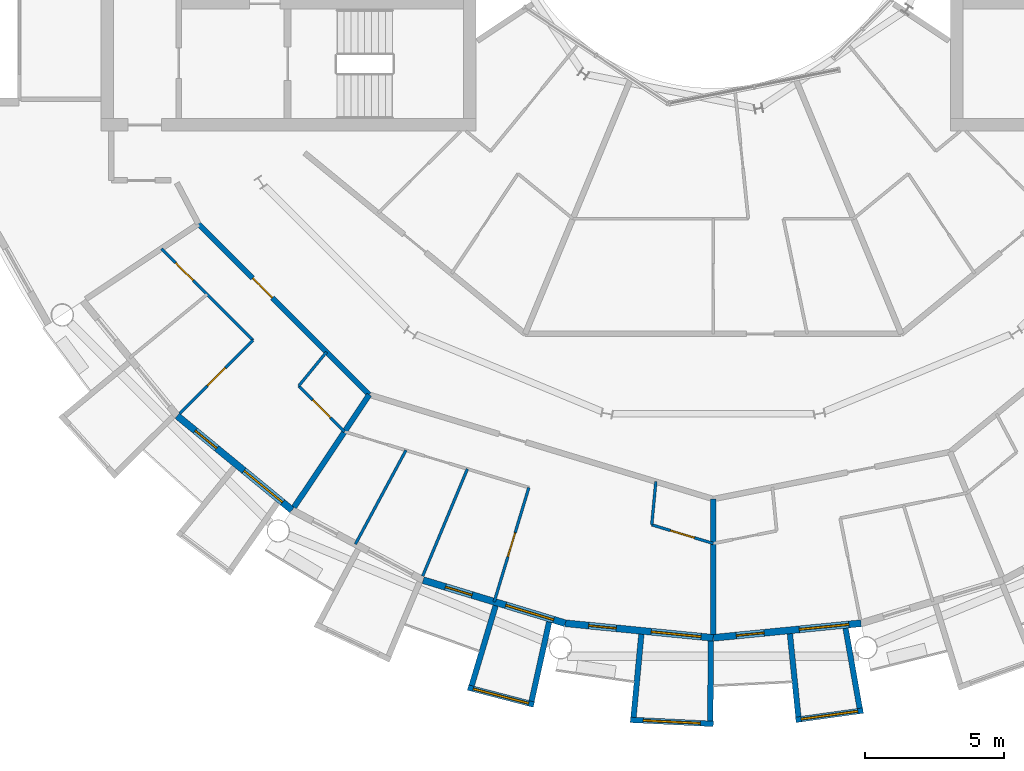
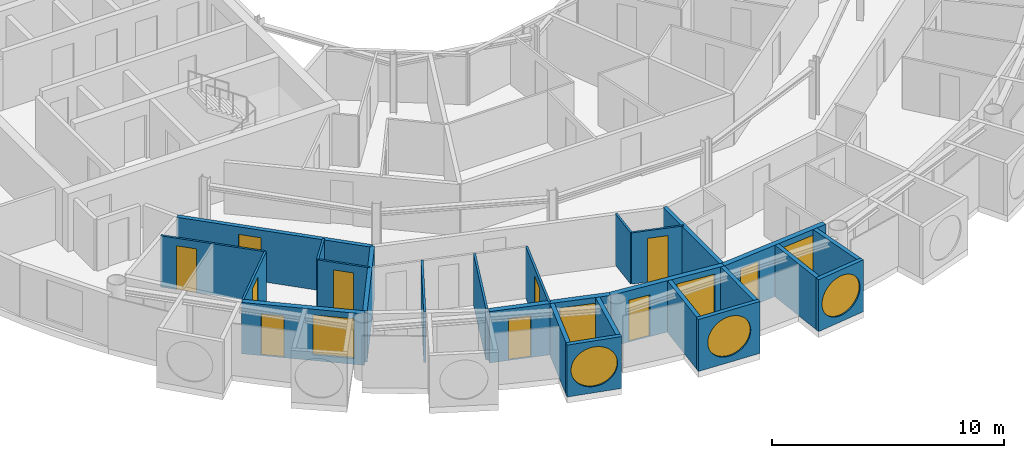
# One storey, part 15 of 28: 25 walls, 10 doors, 7 windows, 17 openings.
"""IFC4 building model written with IfcOpenShell, lengths in metres."""

from ifc_helpers import new_model, si_unit, direction, frame, frame_2d, origin, place, context, subcontext, project, spatial, rectangle, circle, extrude, material, layer, layer_set, type_object, element, fill, save


model = new_model("IFC4")

# Units and contexts
model_context = context("Model", 3, precision=1e-05, world=origin(), true_north=direction((0.0, 1.0)))
body_context = subcontext(model_context, "Body", "Model", "MODEL_VIEW")
ifc_project = project(units=[si_unit("LENGTHUNIT", "METRE"), si_unit("AREAUNIT", "SQUARE_METRE"), si_unit("VOLUMEUNIT", "CUBIC_METRE"), si_unit("PLANEANGLEUNIT", "RADIAN"), si_unit("MASSUNIT", "GRAM", prefix="KILO")], contexts=[model_context])

# Site, building, storey
site_placement = place(None, origin())
site = spatial("IfcSite", under=ifc_project, at=site_placement, CompositionType="ELEMENT")
building_placement = place(site_placement, origin())
building = spatial("IfcBuilding", under=site, at=building_placement, Name="Maasbend Ring Residences", CompositionType="ELEMENT")
storey_placement = place(building_placement, frame((0.0, 0.0, 196.300048828125)))
storey = spatial("IfcBuildingStorey", under=building, at=storey_placement, Name="L56", CompositionType="ELEMENT", Elevation=196.300048828125)

# Wall, opening, door
ifc_material_1 = material(Name="Concrete C30/37", Category="concrete")
ifc_layer_1 = layer(ifc_material_1, 0.199951171875)
ifc_layer_set_1 = layer_set([ifc_layer_1], Name="Concrete C30/37")
wall_type_1 = type_object("IfcWallType", Name="CORRIDOR WALL 200 CONCRETE", PredefinedType="PARTITIONING", material=ifc_layer_set_1)
wall_1_placement = place(storey_placement, frame((-18.5419921875, -12.388916015625, 0.0), z_axis=(0.0, 0.0, 1.0), x_axis=(0.707106781187, -0.707106781187, 0.0)))
wall_1 = element("IfcWall", 1, at=wall_1_placement, inside=storey, type_object=wall_type_1, Name="U-L56-w011", PredefinedType="PARTITIONING", context=body_context, shape_type="SweptSolid", body=[
    extrude(rectangle(XDim=8.70166015625, YDim=0.199951171875, at=frame_2d((4.350830078125, 0.0))), origin(), (0.0, 0.0, 1.0), 2.699951171875),
])
opening_1_placement = place(wall_1_placement, frame((2.762939453125, 0.0, 0.0)))
opening_1 = element("IfcOpeningElement", 2, at=opening_1_placement, cuts=wall_1, Name="Opening D-5631", PredefinedType="OPENING", context=body_context, shape_type="SweptSolid", body=[
    extrude(rectangle(XDim=1.0, YDim=2.300048828125, at=frame_2d((0.5, 1.14990234375))), frame((0.0, 0.10986328125, 0.0), z_axis=(0.0, -1.0, 0.0), x_axis=(1.0, 0.0, 0.0)), (0.0, 0.0, 1.0), 0.219970703125),
])
ifc_material_2 = material(Name="Timber, fire-rated, painted", Category="wood")
door_type_1 = type_object("IfcDoorType", Name="FLAT ENTRANCE DOOR 1000 X 2300 FIRE-RATED", OperationType="NOTDEFINED", PredefinedType="DOOR", material=ifc_material_2)
door_1_placement = place(opening_1_placement, origin())
door_1 = element("IfcDoor", 3, at=door_1_placement, inside=storey, type_object=door_type_1, Name="D-5631", OperationType="SINGLE_SWING_LEFT", OverallHeight=2.300048828125, OverallWidth=1.0, PredefinedType="DOOR", context=body_context, shape_type="SweptSolid", body=[
    extrude(rectangle(XDim=1.0, YDim=2.300048828125, at=frame_2d((0.5, 1.14990234375))), frame((0.0, 0.02490234375, 0.0), z_axis=(0.0, -1.0, 0.0), x_axis=(1.0, 0.0, 0.0)), (0.0, 0.0, 1.0), 0.050048828125),
])
fill(opening_1, door_1)

# Wall, opening, window
ifc_material_3 = material(Name="Pale anodised aluminium panel", Category="aluminium")
ifc_layer_2 = layer(ifc_material_3, 0.199951171875)
ifc_layer_set_2 = layer_set([ifc_layer_2], Name="EW-BOX")
wall_type_2 = type_object("IfcWallType", Name="EW-BOX", PredefinedType="SOLIDWALL", material=ifc_layer_set_2)
wall_2_placement = place(storey_placement, frame((-8.8291015625, -29.090087890625, -0.030029296875), z_axis=(0.0, 0.0, 1.0), x_axis=(0.96789536872, -0.251353446784, 0.0)))
wall_2 = element("IfcWall", 4, at=wall_2_placement, inside=storey, type_object=wall_type_2, Name="Box front S08", PredefinedType="SOLIDWALL", context=body_context, shape_type="SweptSolid", body=[
    extrude(rectangle(XDim=2.44677734375, YDim=0.199951171875, at=frame_2d((1.223388671875, 0.0))), origin(), (0.0, 0.0, 1.0), 2.72998046875),
])
opening_2_placement = place(wall_2_placement, frame((0.182861328125, 0.0, 0.330078125)))
opening_2 = element("IfcOpeningElement", 5, at=opening_2_placement, cuts=wall_2, Name="Opening W-RD", PredefinedType="OPENING", context=body_context, shape_type="SweptSolid", body=[
    extrude(circle(Radius=1.0400390625, at=frame_2d((1.0400390625, 1.0400390625))), frame((0.0, 0.10986328125, 0.0), z_axis=(0.0, -1.0, 0.0), x_axis=(1.0, 0.0, 0.0)), (0.0, 0.0, 1.0), 0.219970703125),
])
ifc_material_4 = material(Name="Aluminium and clear glass", Category="aluminium")
window_type_1 = type_object("IfcWindowType", Name="W-RD", PartitioningType="SINGLE_PANEL", PredefinedType="WINDOW", material=ifc_material_4)
window_1_placement = place(opening_2_placement, origin())
window_1 = element("IfcWindow", 6, at=window_1_placement, inside=storey, type_object=window_type_1, Name="Round window S08", OverallHeight=2.080078125, OverallWidth=2.080078125, PartitioningType="SINGLE_PANEL", PredefinedType="WINDOW", context=body_context, shape_type="SweptSolid", body=[
    extrude(circle(Radius=1.0400390625, at=frame_2d((1.0400390625, 1.0400390625))), frame((0.0, 0.030029296875, 0.0), z_axis=(0.0, -1.0, 0.0), x_axis=(1.0, 0.0, 0.0)), (0.0, 0.0, 1.0), 0.06005859375),
])
fill(opening_2, window_1)

# Walls
wall_3_placement = place(storey_placement, frame((-7.8369140625, -26.14404296875, -0.030029296875), z_axis=(0.0, 0.0, 1.0), x_axis=(-0.287064767992, -0.957911174889, 0.0)))
element("IfcWall", 7, at=wall_3_placement, inside=storey, type_object=wall_type_2, Name="Box side wall S08 left", PredefinedType="SOLIDWALL", context=body_context, shape_type="SweptSolid", body=[
    extrude(rectangle(XDim=3.00634765625, YDim=0.199951171875, at=frame_2d((1.503173828125, 0.0))), origin(), (0.0, 0.0, 1.0), 2.72998046875),
])
wall_4_placement = place(storey_placement, frame((-5.908935546875, -26.72900390625, -0.030029296875), z_axis=(0.0, 0.0, 1.0), x_axis=(-0.216409053917, -0.976302781612, 0.0)))
element("IfcWall", 8, at=wall_4_placement, inside=storey, type_object=wall_type_2, Name="Box side wall S08 right", PredefinedType="SOLIDWALL", context=body_context, shape_type="SweptSolid", body=[
    extrude(rectangle(XDim=2.92529296875, YDim=0.199951171875, at=frame_2d((1.462646484375, 0.0))), origin(), (0.0, 0.0, 1.0), 2.72998046875),
])

# Wall, opening, window
wall_5_placement = place(storey_placement, frame((-2.985107421875, -30.2529296875, -0.030029296875), z_axis=(0.0, 0.0, 1.0), x_axis=(0.998794083011, -0.049095618353, 0.0)))
wall_5 = element("IfcWall", 9, at=wall_5_placement, inside=storey, type_object=wall_type_2, Name="Box front S10", PredefinedType="SOLIDWALL", context=body_context, shape_type="SweptSolid", body=[
    extrude(rectangle(XDim=2.99365234375, YDim=0.199951171875, at=frame_2d((1.496826171875, 0.0))), origin(), (0.0, 0.0, 1.0), 2.72998046875),
])
opening_3_placement = place(wall_5_placement, frame((0.45654296875, 0.0, 0.330078125)))
opening_3 = element("IfcOpeningElement", 10, at=opening_3_placement, cuts=wall_5, Name="Opening W-RD", PredefinedType="OPENING", context=body_context, shape_type="SweptSolid", body=[
    extrude(circle(Radius=1.0400390625, at=frame_2d((1.0400390625, 1.0400390625))), frame((0.0, 0.10986328125, 0.0), z_axis=(0.0, -1.0, 0.0), x_axis=(1.0, 0.0, 0.0)), (0.0, 0.0, 1.0), 0.219970703125),
])
window_2_placement = place(opening_3_placement, origin())
window_2 = element("IfcWindow", 11, at=window_2_placement, inside=storey, type_object=window_type_1, Name="Round window S10", OverallHeight=2.080078125, OverallWidth=2.080078125, PartitioningType="SINGLE_PANEL", PredefinedType="WINDOW", context=body_context, shape_type="SweptSolid", body=[
    extrude(circle(Radius=1.0400390625, at=frame_2d((1.0400390625, 1.0400390625))), frame((0.0, 0.030029296875, 0.0), z_axis=(0.0, -1.0, 0.0), x_axis=(1.0, 0.0, 0.0)), (0.0, 0.0, 1.0), 0.06005859375),
])
fill(opening_3, window_2)

# Walls
wall_6_placement = place(storey_placement, frame((-2.5859375, -27.1708984375, -0.030029296875), z_axis=(0.0, 0.0, 1.0), x_axis=(-0.094548432284, -0.995520262954, 0.0)))
element("IfcWall", 12, at=wall_6_placement, inside=storey, type_object=wall_type_2, Name="Box side wall S10 left", PredefinedType="SOLIDWALL", context=body_context, shape_type="SweptSolid", body=[
    extrude(rectangle(XDim=3.005615234375, YDim=0.199951171875, at=frame_2d((1.5029296875, 0.0))), origin(), (0.0, 0.0, 1.0), 2.72998046875),
])
wall_7_placement = place(storey_placement, frame((-0.090087890625, -27.4169921875, -0.030029296875), z_axis=(0.0, 0.0, 1.0), x_axis=(-0.00347308367, -0.999993968827, 0.0)))
element("IfcWall", 13, at=wall_7_placement, inside=storey, type_object=wall_type_2, Name="Box side wall S10 right", PredefinedType="SOLIDWALL", context=body_context, shape_type="SweptSolid", body=[
    extrude(rectangle(XDim=2.882080078125, YDim=0.199951171875, at=frame_2d((1.44091796875, 0.0))), origin(), (0.0, 0.0, 1.0), 2.72998046875),
])

# Wall, opening, window
wall_8_placement = place(storey_placement, frame((2.97607421875, -30.25390625, -0.030029296875), z_axis=(0.0, 0.0, 1.0), x_axis=(0.990462016113, 0.137786046596, 0.0)))
wall_8 = element("IfcWall", 14, at=wall_8_placement, inside=storey, type_object=wall_type_2, Name="Box front S12", PredefinedType="SOLIDWALL", context=body_context, shape_type="SweptSolid", body=[
    extrude(rectangle(XDim=2.4453125, YDim=0.199951171875, at=frame_2d((1.22265625, 0.0))), origin(), (0.0, 0.0, 1.0), 2.72998046875),
])
opening_4_placement = place(wall_8_placement, frame((0.182861328125, 0.0, 0.330078125)))
opening_4 = element("IfcOpeningElement", 15, at=opening_4_placement, cuts=wall_8, Name="Opening W-RD", PredefinedType="OPENING", context=body_context, shape_type="SweptSolid", body=[
    extrude(circle(Radius=1.0400390625, at=frame_2d((1.0400390625, 1.0400390625))), frame((0.0, 0.10986328125, 0.0), z_axis=(0.0, -1.0, 0.0), x_axis=(1.0, 0.0, 0.0)), (0.0, 0.0, 1.0), 0.219970703125),
])
window_3_placement = place(opening_4_placement, origin())
window_3 = element("IfcWindow", 16, at=window_3_placement, inside=storey, type_object=window_type_1, Name="Round window S12", OverallHeight=2.080078125, OverallWidth=2.080078125, PartitioningType="SINGLE_PANEL", PredefinedType="WINDOW", context=body_context, shape_type="SweptSolid", body=[
    extrude(circle(Radius=1.0400390625, at=frame_2d((1.0400390625, 1.0400390625))), frame((0.0, 0.030029296875, 0.0), z_axis=(0.0, -1.0, 0.0), x_axis=(1.0, 0.0, 0.0)), (0.0, 0.0, 1.0), 0.06005859375),
])
fill(opening_4, window_3)

# Walls
wall_9_placement = place(storey_placement, frame((2.763916015625, -27.153076171875, -0.030029296875), z_axis=(0.0, 0.0, 1.0), x_axis=(0.101505487237, -0.994834979311, 0.0)))
element("IfcWall", 17, at=wall_9_placement, inside=storey, type_object=wall_type_2, Name="Box side wall S12 left", PredefinedType="SOLIDWALL", context=body_context, shape_type="SweptSolid", body=[
    extrude(rectangle(XDim=3.006591796875, YDim=0.199951171875, at=frame_2d((1.50341796875, 0.0))), origin(), (0.0, 0.0, 1.0), 2.72998046875),
])
wall_10_placement = place(storey_placement, frame((4.76904296875, -26.9560546875, -0.030029296875), z_axis=(0.0, 0.0, 1.0), x_axis=(0.174056778901, -0.984735618183, 0.0)))
element("IfcWall", 18, at=wall_10_placement, inside=storey, type_object=wall_type_2, Name="Box side wall S12 right", PredefinedType="SOLIDWALL", context=body_context, shape_type="SweptSolid", body=[
    extrude(rectangle(XDim=2.924560546875, YDim=0.199951171875, at=frame_2d((1.46240234375, 0.0))), origin(), (0.0, 0.0, 1.0), 2.72998046875),
])

# Wall, openings, door, window
ifc_material_5 = material(Name="Aluminium clad insulated panel", Category="aluminium")
ifc_layer_3 = layer(ifc_material_5, 0.25)
ifc_layer_set_3 = layer_set([ifc_layer_3], Name="EW-GL")
wall_type_3 = type_object("IfcWallType", Name="EW-GL", PredefinedType="SOLIDWALL", material=ifc_layer_set_3)
wall_11_placement = place(storey_placement, frame((-19.303955078125, -19.303955078125, 0.0), z_axis=(0.0, 0.0, 1.0), x_axis=(0.773019449054, -0.634382322723, 0.0)))
wall_11 = element("IfcWall", 19, at=wall_11_placement, inside=storey, type_object=wall_type_3, Name="External wall S02", PredefinedType="SOLIDWALL", context=body_context, shape_type="SweptSolid", body=[
    extrude(rectangle(XDim=5.351806640625, YDim=0.25, at=frame_2d((2.67578125, 0.0))), origin(), (0.0, 0.0, 1.0), 2.699951171875),
])
opening_5_placement = place(wall_11_placement, frame((0.841064453125, 0.0, 0.0)))
opening_5 = element("IfcOpeningElement", 20, at=opening_5_placement, cuts=wall_11, Name="Opening D-LG", PredefinedType="OPENING", context=body_context, shape_type="SweptSolid", body=[
    extrude(rectangle(XDim=1.0, YDim=2.199951171875, at=frame_2d((0.5, 1.10009765625))), frame((0.0, 0.135009765625, 0.0), z_axis=(0.0, -1.0, 0.0), x_axis=(1.0, 0.0, 0.0)), (0.0, 0.0, 1.0), 0.27001953125),
])
opening_6_placement = place(wall_11_placement, frame((3.110595703125, 0.0, 0.300048828125)))
opening_6 = element("IfcOpeningElement", 21, at=opening_6_placement, cuts=wall_11, Name="Opening W-BX", PredefinedType="OPENING", context=body_context, shape_type="SweptSolid", body=[
    extrude(rectangle(XDim=1.800048828125, YDim=2.10009765625, at=frame_2d((0.89990234375, 1.050048828125))), frame((0.0, 0.135009765625, 0.0), z_axis=(0.0, -1.0, 0.0), x_axis=(1.0, 0.0, 0.0)), (0.0, 0.0, 1.0), 0.27001953125),
])
ifc_material_6 = material(Name="Aluminium and clear glass", Category="aluminium")
door_type_2 = type_object("IfcDoorType", Name="D-LG", OperationType="SINGLE_SWING_LEFT", PredefinedType="DOOR", material=ifc_material_6)
door_2_placement = place(opening_5_placement, origin())
door_2 = element("IfcDoor", 22, at=door_2_placement, inside=storey, type_object=door_type_2, Name="Loggia door S03", OperationType="SINGLE_SWING_LEFT", OverallHeight=2.199951171875, OverallWidth=1.0, PredefinedType="DOOR", context=body_context, shape_type="SweptSolid", body=[
    extrude(rectangle(XDim=1.0, YDim=2.199951171875, at=frame_2d((0.5, 1.10009765625))), frame((0.0, 0.02490234375, 0.0), z_axis=(0.0, -1.0, 0.0), x_axis=(1.0, 0.0, 0.0)), (0.0, 0.0, 1.0), 0.050048828125),
])
fill(opening_5, door_2)
ifc_material_7 = material(Name="Aluminium and clear glass", Category="aluminium")
window_type_2 = type_object("IfcWindowType", Name="W-BX", PartitioningType="DOUBLE_PANEL_VERTICAL", PredefinedType="WINDOW", material=ifc_material_7)
window_4_placement = place(opening_6_placement, origin())
window_4 = element("IfcWindow", 23, at=window_4_placement, inside=storey, type_object=window_type_2, Name="Window S04 room to box", OverallHeight=2.10009765625, OverallWidth=1.800048828125, PartitioningType="SINGLE_PANEL", PredefinedType="WINDOW", context=body_context, shape_type="SweptSolid", body=[
    extrude(rectangle(XDim=1.800048828125, YDim=2.10009765625, at=frame_2d((0.89990234375, 1.050048828125))), frame((0.0, 0.030029296875, 0.0), z_axis=(0.0, -1.0, 0.0), x_axis=(1.0, 0.0, 0.0)), (0.0, 0.0, 1.0), 0.06005859375),
])
fill(opening_6, window_4)

wall_12_placement = place(storey_placement, frame((-10.447021484375, -25.221923828125, 0.0), z_axis=(0.0, 0.0, 1.0), x_axis=(0.956965678721, -0.290201119486, 0.0)))
wall_12 = element("IfcWall", 24, at=wall_12_placement, inside=storey, type_object=wall_type_3, Name="External wall S04", PredefinedType="SOLIDWALL", context=body_context, shape_type="SweptSolid", body=[
    extrude(rectangle(XDim=5.351318359375, YDim=0.25, at=frame_2d((2.67578125, 0.0))), origin(), (0.0, 0.0, 1.0), 2.699951171875),
])
opening_7_placement = place(wall_12_placement, frame((0.841064453125, 0.0, 0.0)))
opening_7 = element("IfcOpeningElement", 25, at=opening_7_placement, cuts=wall_12, Name="Opening D-LG", PredefinedType="OPENING", context=body_context, shape_type="SweptSolid", body=[
    extrude(rectangle(XDim=1.0, YDim=2.199951171875, at=frame_2d((0.5, 1.10009765625))), frame((0.0, 0.135009765625, 0.0), z_axis=(0.0, -1.0, 0.0), x_axis=(1.0, 0.0, 0.0)), (0.0, 0.0, 1.0), 0.27001953125),
])
opening_8_placement = place(wall_12_placement, frame((3.110595703125, 0.0, 0.300048828125)))
opening_8 = element("IfcOpeningElement", 26, at=opening_8_placement, cuts=wall_12, Name="Opening W-BX", PredefinedType="OPENING", context=body_context, shape_type="SweptSolid", body=[
    extrude(rectangle(XDim=1.800048828125, YDim=2.10009765625, at=frame_2d((0.89990234375, 1.050048828125))), frame((0.0, 0.135009765625, 0.0), z_axis=(0.0, -1.0, 0.0), x_axis=(1.0, 0.0, 0.0)), (0.0, 0.0, 1.0), 0.27001953125),
])
door_3_placement = place(opening_7_placement, origin())
door_3 = element("IfcDoor", 27, at=door_3_placement, inside=storey, type_object=door_type_2, Name="Loggia door S07", OperationType="SINGLE_SWING_LEFT", OverallHeight=2.199951171875, OverallWidth=1.0, PredefinedType="DOOR", context=body_context, shape_type="SweptSolid", body=[
    extrude(rectangle(XDim=1.0, YDim=2.199951171875, at=frame_2d((0.5, 1.10009765625))), frame((0.0, 0.02490234375, 0.0), z_axis=(0.0, -1.0, 0.0), x_axis=(1.0, 0.0, 0.0)), (0.0, 0.0, 1.0), 0.050048828125),
])
fill(opening_7, door_3)
window_5_placement = place(opening_8_placement, origin())
window_5 = element("IfcWindow", 28, at=window_5_placement, inside=storey, type_object=window_type_2, Name="Window S08 room to box", OverallHeight=2.10009765625, OverallWidth=1.800048828125, PartitioningType="SINGLE_PANEL", PredefinedType="WINDOW", context=body_context, shape_type="SweptSolid", body=[
    extrude(rectangle(XDim=1.800048828125, YDim=2.10009765625, at=frame_2d((0.89990234375, 1.050048828125))), frame((0.0, 0.030029296875, 0.0), z_axis=(0.0, -1.0, 0.0), x_axis=(1.0, 0.0, 0.0)), (0.0, 0.0, 1.0), 0.06005859375),
])
fill(opening_8, window_5)

wall_13_placement = place(storey_placement, frame((-5.325927734375, -26.77490234375, 0.0), z_axis=(0.0, 0.0, 1.0), x_axis=(0.995173996315, -0.098126026407, 0.0)))
wall_13 = element("IfcWall", 29, at=wall_13_placement, inside=storey, type_object=wall_type_3, Name="External wall S05", PredefinedType="SOLIDWALL", context=body_context, shape_type="SweptSolid", body=[
    extrude(rectangle(XDim=5.351806640625, YDim=0.25, at=frame_2d((2.67578125, 0.0))), origin(), (0.0, 0.0, 1.0), 2.699951171875),
])
opening_9_placement = place(wall_13_placement, frame((0.841064453125, 0.0, 0.0)))
opening_9 = element("IfcOpeningElement", 30, at=opening_9_placement, cuts=wall_13, Name="Opening D-LG", PredefinedType="OPENING", context=body_context, shape_type="SweptSolid", body=[
    extrude(rectangle(XDim=1.0, YDim=2.199951171875, at=frame_2d((0.5, 1.10009765625))), frame((0.0, 0.135009765625, 0.0), z_axis=(0.0, -1.0, 0.0), x_axis=(1.0, 0.0, 0.0)), (0.0, 0.0, 1.0), 0.27001953125),
])
opening_10_placement = place(wall_13_placement, frame((3.110595703125, 0.0, 0.300048828125)))
opening_10 = element("IfcOpeningElement", 31, at=opening_10_placement, cuts=wall_13, Name="Opening W-BX", PredefinedType="OPENING", context=body_context, shape_type="SweptSolid", body=[
    extrude(rectangle(XDim=1.800048828125, YDim=2.10009765625, at=frame_2d((0.89990234375, 1.050048828125))), frame((0.0, 0.135009765625, 0.0), z_axis=(0.0, -1.0, 0.0), x_axis=(1.0, 0.0, 0.0)), (0.0, 0.0, 1.0), 0.27001953125),
])
door_4_placement = place(opening_9_placement, origin())
door_4 = element("IfcDoor", 32, at=door_4_placement, inside=storey, type_object=door_type_2, Name="Loggia door S09", OperationType="SINGLE_SWING_LEFT", OverallHeight=2.199951171875, OverallWidth=1.0, PredefinedType="DOOR", context=body_context, shape_type="SweptSolid", body=[
    extrude(rectangle(XDim=1.0, YDim=2.199951171875, at=frame_2d((0.5, 1.10009765625))), frame((0.0, 0.02490234375, 0.0), z_axis=(0.0, -1.0, 0.0), x_axis=(1.0, 0.0, 0.0)), (0.0, 0.0, 1.0), 0.050048828125),
])
fill(opening_9, door_4)
window_6_placement = place(opening_10_placement, origin())
window_6 = element("IfcWindow", 33, at=window_6_placement, inside=storey, type_object=window_type_2, Name="Window S10 room to box", OverallHeight=2.10009765625, OverallWidth=1.800048828125, PartitioningType="SINGLE_PANEL", PredefinedType="WINDOW", context=body_context, shape_type="SweptSolid", body=[
    extrude(rectangle(XDim=1.800048828125, YDim=2.10009765625, at=frame_2d((0.89990234375, 1.050048828125))), frame((0.0, 0.030029296875, 0.0), z_axis=(0.0, -1.0, 0.0), x_axis=(1.0, 0.0, 0.0)), (0.0, 0.0, 1.0), 0.06005859375),
])
fill(opening_10, window_6)

wall_14_placement = place(storey_placement, frame((0.0, -27.300048828125, 0.0), z_axis=(0.0, 0.0, 1.0), x_axis=(0.995173996315, 0.098126026407, 0.0)))
wall_14 = element("IfcWall", 34, at=wall_14_placement, inside=storey, type_object=wall_type_3, Name="External wall S06", PredefinedType="SOLIDWALL", context=body_context, shape_type="SweptSolid", body=[
    extrude(rectangle(XDim=5.351806640625, YDim=0.25, at=frame_2d((2.67578125, 0.0))), origin(), (0.0, 0.0, 1.0), 2.699951171875),
])
opening_11_placement = place(wall_14_placement, frame((0.841064453125, 0.0, 0.0)))
opening_11 = element("IfcOpeningElement", 35, at=opening_11_placement, cuts=wall_14, Name="Opening D-LG", PredefinedType="OPENING", context=body_context, shape_type="SweptSolid", body=[
    extrude(rectangle(XDim=1.0, YDim=2.199951171875, at=frame_2d((0.5, 1.10009765625))), frame((0.0, 0.135009765625, 0.0), z_axis=(0.0, -1.0, 0.0), x_axis=(1.0, 0.0, 0.0)), (0.0, 0.0, 1.0), 0.27001953125),
])
opening_12_placement = place(wall_14_placement, frame((3.110595703125, 0.0, 0.300048828125)))
opening_12 = element("IfcOpeningElement", 36, at=opening_12_placement, cuts=wall_14, Name="Opening W-BX", PredefinedType="OPENING", context=body_context, shape_type="SweptSolid", body=[
    extrude(rectangle(XDim=1.800048828125, YDim=2.10009765625, at=frame_2d((0.89990234375, 1.050048828125))), frame((0.0, 0.135009765625, 0.0), z_axis=(0.0, -1.0, 0.0), x_axis=(1.0, 0.0, 0.0)), (0.0, 0.0, 1.0), 0.27001953125),
])
door_5_placement = place(opening_11_placement, origin())
door_5 = element("IfcDoor", 37, at=door_5_placement, inside=storey, type_object=door_type_2, Name="Loggia door S11", OperationType="SINGLE_SWING_LEFT", OverallHeight=2.199951171875, OverallWidth=1.0, PredefinedType="DOOR", context=body_context, shape_type="SweptSolid", body=[
    extrude(rectangle(XDim=1.0, YDim=2.199951171875, at=frame_2d((0.5, 1.10009765625))), frame((0.0, 0.02490234375, 0.0), z_axis=(0.0, -1.0, 0.0), x_axis=(1.0, 0.0, 0.0)), (0.0, 0.0, 1.0), 0.050048828125),
])
fill(opening_11, door_5)
window_7_placement = place(opening_12_placement, origin())
window_7 = element("IfcWindow", 38, at=window_7_placement, inside=storey, type_object=window_type_2, Name="Window S12 room to box", OverallHeight=2.10009765625, OverallWidth=1.800048828125, PartitioningType="SINGLE_PANEL", PredefinedType="WINDOW", context=body_context, shape_type="SweptSolid", body=[
    extrude(rectangle(XDim=1.800048828125, YDim=2.10009765625, at=frame_2d((0.89990234375, 1.050048828125))), frame((0.0, 0.030029296875, 0.0), z_axis=(0.0, -1.0, 0.0), x_axis=(1.0, 0.0, 0.0)), (0.0, 0.0, 1.0), 0.06005859375),
])
fill(opening_12, window_7)

# Wall, opening, door
ifc_material_8 = material(Name="Gypsum board on steel studs", Category="steel")
ifc_layer_4 = layer(ifc_material_8, 0.10009765625)
ifc_layer_set_4 = layer_set([ifc_layer_4], Name="PARTITION 100 GYPSUM")
wall_type_4 = type_object("IfcWallType", Name="PARTITION 100 GYPSUM", PredefinedType="PARTITIONING", material=ifc_layer_set_4)
wall_15_placement = place(storey_placement, frame((-19.868896484375, -13.284912109375, 0.0), z_axis=(0.0, 0.0, 1.0), x_axis=(0.707290020325, -0.706923494552, 0.0)))
wall_15 = element("IfcWall", 39, at=wall_15_placement, inside=storey, type_object=wall_type_4, Name="U-L56-w001", PredefinedType="PARTITIONING", context=body_context, shape_type="SweptSolid", body=[
    extrude(rectangle(XDim=4.66259765625, YDim=0.10009765625, at=frame_2d((2.331298828125, 0.0))), origin(), (0.0, 0.0, 1.0), 2.699951171875),
])
opening_13_placement = place(wall_15_placement, frame((0.7119140625, 0.0, 0.0)))
opening_13 = element("IfcOpeningElement", 40, at=opening_13_placement, cuts=wall_15, Name="Opening D-5634", PredefinedType="OPENING", context=body_context, shape_type="SweptSolid", body=[
    extrude(rectangle(XDim=0.89990234375, YDim=2.300048828125, at=frame_2d((0.449951171875, 1.14990234375))), frame((0.0, 0.06005859375, 0.0), z_axis=(0.0, -1.0, 0.0), x_axis=(1.0, 0.0, 0.0)), (0.0, 0.0, 1.0), 0.1201171875),
])
ifc_material_9 = material(Name="Timber, painted", Category="wood")
door_type_3 = type_object("IfcDoorType", Name="INTERNAL DOOR 900 X 2300", OperationType="NOTDEFINED", PredefinedType="DOOR", material=ifc_material_9)
door_6_placement = place(opening_13_placement, origin())
door_6 = element("IfcDoor", 41, at=door_6_placement, inside=storey, type_object=door_type_3, Name="D-5634", OperationType="SINGLE_SWING_LEFT", OverallHeight=2.300048828125, OverallWidth=0.89990234375, PredefinedType="DOOR", context=body_context, shape_type="SweptSolid", body=[
    extrude(rectangle(XDim=0.89990234375, YDim=2.300048828125, at=frame_2d((0.449951171875, 1.14990234375))), frame((0.0, 0.02490234375, 0.0), z_axis=(0.0, -1.0, 0.0), x_axis=(1.0, 0.0, 0.0)), (0.0, 0.0, 1.0), 0.050048828125),
])
fill(opening_13, door_6)

wall_16_placement = place(storey_placement, frame((-14.927001953125, -18.22412109375, 0.0), z_axis=(0.0, 0.0, 1.0), x_axis=(0.707316201218, -0.706897299114, 0.0)))
wall_16 = element("IfcWall", 42, at=wall_16_placement, inside=storey, type_object=wall_type_4, Name="U-L56-w002", PredefinedType="PARTITIONING", context=body_context, shape_type="SweptSolid", body=[
    extrude(rectangle(XDim=2.331298828125, YDim=0.10009765625, at=frame_2d((1.16552734375, 0.0))), origin(), (0.0, 0.0, 1.0), 2.699951171875),
])
opening_14_placement = place(wall_16_placement, frame((0.716064453125, 0.0, 0.0)))
opening_14 = element("IfcOpeningElement", 43, at=opening_14_placement, cuts=wall_16, Name="Opening D-5632", PredefinedType="OPENING", context=body_context, shape_type="SweptSolid", body=[
    extrude(rectangle(XDim=0.89990234375, YDim=2.300048828125, at=frame_2d((0.449951171875, 1.14990234375))), frame((0.0, 0.06005859375, 0.0), z_axis=(0.0, -1.0, 0.0), x_axis=(1.0, 0.0, 0.0)), (0.0, 0.0, 1.0), 0.1201171875),
])
door_7_placement = place(opening_14_placement, origin())
door_7 = element("IfcDoor", 44, at=door_7_placement, inside=storey, type_object=door_type_3, Name="D-5632", OperationType="SINGLE_SWING_LEFT", OverallHeight=2.300048828125, OverallWidth=0.89990234375, PredefinedType="DOOR", context=body_context, shape_type="SweptSolid", body=[
    extrude(rectangle(XDim=0.89990234375, YDim=2.300048828125, at=frame_2d((0.449951171875, 1.14990234375))), frame((0.0, 0.02490234375, 0.0), z_axis=(0.0, -1.0, 0.0), x_axis=(1.0, 0.0, 0.0)), (0.0, 0.0, 1.0), 0.050048828125),
])
fill(opening_14, door_7)

wall_17_placement = place(storey_placement, frame((-2.212890625, -23.22900390625, 0.0), z_axis=(0.0, 0.0, 1.0), x_axis=(0.957056340114, -0.289901986622, 0.0)))
wall_17 = element("IfcWall", 45, at=wall_17_placement, inside=storey, type_object=wall_type_4, Name="U-L56-w006", PredefinedType="PARTITIONING", context=body_context, shape_type="SweptSolid", body=[
    extrude(rectangle(XDim=2.314208984375, YDim=0.10009765625, at=frame_2d((1.1572265625, 0.0))), origin(), (0.0, 0.0, 1.0), 2.699951171875),
])
opening_15_placement = place(wall_17_placement, frame((0.70703125, 0.0, 0.0)))
opening_15 = element("IfcOpeningElement", 46, at=opening_15_placement, cuts=wall_17, Name="Opening D-5636", PredefinedType="OPENING", context=body_context, shape_type="SweptSolid", body=[
    extrude(rectangle(XDim=0.89990234375, YDim=2.300048828125, at=frame_2d((0.449951171875, 1.14990234375))), frame((0.0, 0.06005859375, 0.0), z_axis=(0.0, -1.0, 0.0), x_axis=(1.0, 0.0, 0.0)), (0.0, 0.0, 1.0), 0.1201171875),
])
door_8_placement = place(opening_15_placement, origin())
door_8 = element("IfcDoor", 47, at=door_8_placement, inside=storey, type_object=door_type_3, Name="D-5636", OperationType="SINGLE_SWING_LEFT", OverallHeight=2.300048828125, OverallWidth=0.89990234375, PredefinedType="DOOR", context=body_context, shape_type="SweptSolid", body=[
    extrude(rectangle(XDim=0.89990234375, YDim=2.300048828125, at=frame_2d((0.449951171875, 1.14990234375))), frame((0.0, 0.02490234375, 0.0), z_axis=(0.0, -1.0, 0.0), x_axis=(1.0, 0.0, 0.0)), (0.0, 0.0, 1.0), 0.050048828125),
])
fill(opening_15, door_8)

# Wall
wall_18_placement = place(storey_placement, frame((-14.927001953125, -18.22412109375, 0.0), z_axis=(0.0, 0.0, 1.0), x_axis=(0.633861186344, 0.773446828454, 0.0)))
element("IfcWall", 48, at=wall_18_placement, inside=storey, type_object=wall_type_4, Name="U-L56-w031", PredefinedType="PARTITIONING", context=body_context, shape_type="SweptSolid", body=[
    extrude(rectangle(XDim=1.57763671875, YDim=0.10009765625, at=frame_2d((0.788818359375, 0.0))), origin(), (0.0, 0.0, 1.0), 2.699951171875),
])

# Wall, opening, door
wall_19_placement = place(storey_placement, frame((-19.216064453125, -19.216064453125, 0.0), z_axis=(0.0, 0.0, 1.0), x_axis=(0.707106781187, 0.707106781187, 0.0)))
wall_19 = element("IfcWall", 49, at=wall_19_placement, inside=storey, type_object=wall_type_4, Name="U-L56-w036", PredefinedType="PARTITIONING", context=body_context, shape_type="SweptSolid", body=[
    extrude(rectangle(XDim=3.735107421875, YDim=0.10009765625, at=frame_2d((1.86767578125, 0.0))), origin(), (0.0, 0.0, 1.0), 2.699951171875),
])
opening_16_placement = place(wall_19_placement, frame((1.4169921875, 0.0, 0.0)))
opening_16 = element("IfcOpeningElement", 50, at=opening_16_placement, cuts=wall_19, Name="Opening D-5633", PredefinedType="OPENING", context=body_context, shape_type="SweptSolid", body=[
    extrude(rectangle(XDim=0.89990234375, YDim=2.300048828125, at=frame_2d((0.449951171875, 1.14990234375))), frame((0.0, 0.06005859375, 0.0), z_axis=(0.0, -1.0, 0.0), x_axis=(1.0, 0.0, 0.0)), (0.0, 0.0, 1.0), 0.1201171875),
])
door_9_placement = place(opening_16_placement, origin())
door_9 = element("IfcDoor", 51, at=door_9_placement, inside=storey, type_object=door_type_3, Name="D-5633", OperationType="SINGLE_SWING_LEFT", OverallHeight=2.300048828125, OverallWidth=0.89990234375, PredefinedType="DOOR", context=body_context, shape_type="SweptSolid", body=[
    extrude(rectangle(XDim=0.89990234375, YDim=2.300048828125, at=frame_2d((0.449951171875, 1.14990234375))), frame((0.0, 0.02490234375, 0.0), z_axis=(0.0, -1.0, 0.0), x_axis=(1.0, 0.0, 0.0)), (0.0, 0.0, 1.0), 0.050048828125),
])
fill(opening_16, door_9)

# Walls
wall_20_placement = place(storey_placement, frame((-12.886962890625, -23.925048828125, 0.0), z_axis=(0.0, 0.0, 1.0), x_axis=(0.474281720599, 0.88037313084, 0.0)))
element("IfcWall", 52, at=wall_20_placement, inside=storey, type_object=wall_type_4, Name="U-L56-w041", PredefinedType="PARTITIONING", context=body_context, shape_type="SweptSolid", body=[
    extrude(rectangle(XDim=3.841552734375, YDim=0.10009765625, at=frame_2d((1.9208984375, 0.0))), origin(), (0.0, 0.0, 1.0), 2.699951171875),
])
wall_21_placement = place(storey_placement, frame((-10.465087890625, -25.0791015625, 0.0), z_axis=(0.0, 0.0, 1.0), x_axis=(0.385232176411, 0.922819684585, 0.0)))
element("IfcWall", 53, at=wall_21_placement, inside=storey, type_object=wall_type_4, Name="U-L56-w044", PredefinedType="PARTITIONING", context=body_context, shape_type="SweptSolid", body=[
    extrude(rectangle(XDim=4.187255859375, YDim=0.10009765625, at=frame_2d((2.09375, 0.0))), origin(), (0.0, 0.0, 1.0), 2.699951171875),
])

# Wall, opening, door
wall_22_placement = place(storey_placement, frame((-7.887939453125, -26.0048828125, 0.0), z_axis=(0.0, 0.0, 1.0), x_axis=(0.290193157742, 0.956968093094, 0.0)))
wall_22 = element("IfcWall", 54, at=wall_22_placement, inside=storey, type_object=wall_type_4, Name="U-L56-w049", PredefinedType="PARTITIONING", context=body_context, shape_type="SweptSolid", body=[
    extrude(rectangle(XDim=4.30419921875, YDim=0.10009765625, at=frame_2d((2.152099609375, 0.0))), origin(), (0.0, 0.0, 1.0), 2.699951171875),
])
opening_17_placement = place(wall_22_placement, frame((1.701904296875, 0.0, 0.0)))
opening_17 = element("IfcOpeningElement", 55, at=opening_17_placement, cuts=wall_22, Name="Opening D-5637", PredefinedType="OPENING", context=body_context, shape_type="SweptSolid", body=[
    extrude(rectangle(XDim=0.89990234375, YDim=2.300048828125, at=frame_2d((0.449951171875, 1.14990234375))), frame((0.0, 0.06005859375, 0.0), z_axis=(0.0, -1.0, 0.0), x_axis=(1.0, 0.0, 0.0)), (0.0, 0.0, 1.0), 0.1201171875),
])
door_10_placement = place(opening_17_placement, origin())
door_10 = element("IfcDoor", 56, at=door_10_placement, inside=storey, type_object=door_type_3, Name="D-5637", OperationType="SINGLE_SWING_LEFT", OverallHeight=2.300048828125, OverallWidth=0.89990234375, PredefinedType="DOOR", context=body_context, shape_type="SweptSolid", body=[
    extrude(rectangle(XDim=0.89990234375, YDim=2.300048828125, at=frame_2d((0.449951171875, 1.14990234375))), frame((0.0, 0.02490234375, 0.0), z_axis=(0.0, -1.0, 0.0), x_axis=(1.0, 0.0, 0.0)), (0.0, 0.0, 1.0), 0.050048828125),
])
fill(opening_17, door_10)

# Walls
wall_23_placement = place(storey_placement, frame((-2.212890625, -23.22900390625, 0.0), z_axis=(0.0, 0.0, 1.0), x_axis=(0.094720578196, 0.995503898569, 0.0)))
element("IfcWall", 57, at=wall_23_placement, inside=storey, type_object=wall_type_4, Name="U-L56-w055", PredefinedType="PARTITIONING", context=body_context, shape_type="SweptSolid", body=[
    extrude(rectangle(XDim=1.56201171875, YDim=0.10009765625, at=frame_2d((0.781005859375, 0.0))), origin(), (0.0, 0.0, 1.0), 2.699951171875),
])
ifc_material_10 = material(Name="Concrete C30/37", Category="concrete")
ifc_layer_5 = layer(ifc_material_10, 0.199951171875)
ifc_layer_set_5 = layer_set([ifc_layer_5], Name="Concrete C30/37")
wall_type_5 = type_object("IfcWallType", Name="PARTY WALL 200 CONCRETE", PredefinedType="PARTITIONING", material=ifc_layer_set_5)
wall_24_placement = place(storey_placement, frame((-15.095947265625, -22.595947265625, 0.0), z_axis=(0.0, 0.0, 1.0), x_axis=(0.55555521993, 0.831479643532, 0.0)))
element("IfcWall", 58, at=wall_24_placement, inside=storey, type_object=wall_type_5, Name="U-L56-w040", PredefinedType="PARTITIONING", context=body_context, shape_type="SweptSolid", body=[
    extrude(rectangle(XDim=4.87451171875, YDim=0.199951171875, at=frame_2d((2.437255859375, 0.0))), origin(), (0.0, 0.0, 1.0), 2.699951171875),
])
wall_25_placement = place(storey_placement, frame((0.0, -27.175048828125, 0.0), z_axis=(0.0, 0.0, 1.0), x_axis=(0.0, 1.0, 0.0)))
element("IfcWall", 59, at=wall_25_placement, inside=storey, type_object=wall_type_5, Name="U-L56-w058", PredefinedType="PARTITIONING", context=body_context, shape_type="SweptSolid", body=[
    extrude(rectangle(XDim=4.875, YDim=0.199951171875, at=frame_2d((2.4375, 0.0))), origin(), (0.0, 0.0, 1.0), 2.699951171875),
])

save(model, "model.ifc")
